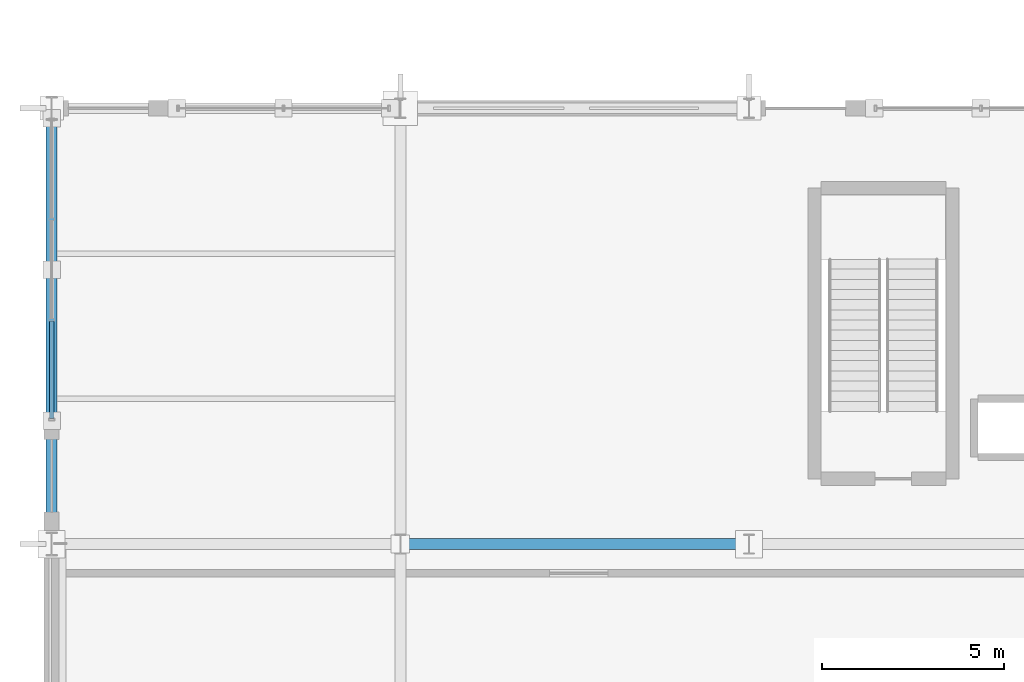
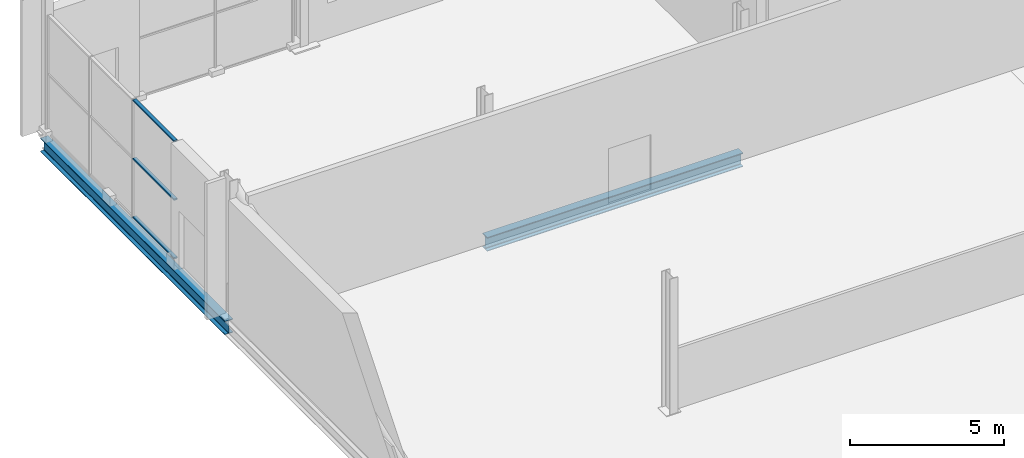
# One storey, part 103 of 196: 3 members, 2 beams, 1 element without a shape of its own.
"""IFC4 building model written with IfcOpenShell, lengths in metres."""

import ifcopenshell
import ifcopenshell.guid

model = None  # the IFC model being written
_history = None  # IfcOwnerHistory: only IFC2X3 demands one
_inside = {}  # id of a spatial element -> (the spatial element, [elements in it])
_under = {}  # id of a project, library or spatial element -> (it, [spatial elements below it])
_declared = {}  # id of a project -> (the project, [libraries it declares])
_typed = {}  # id of a type object -> (the type object, [elements of that type])
_made_of = {}  # id of a material, layer set ... -> (it, [elements and type objects made of it])


def new_model(schema):
    """Start an empty IFC model of exactly this schema.

    Asked for "IFC4X3", IfcOpenShell would pick the latest addendum, in which some entities
    have other attributes; the version numbers below select the first issue.
    IFC2X3 requires an IfcOwnerHistory on every rooted entity: one is made here for all.
    """
    global model, _history
    if schema == "IFC4X3":
        model = ifcopenshell.file(schema_version=(4, 3, 0, 0))
    else:
        model = ifcopenshell.file(schema=schema)
    _inside.clear()
    _under.clear()
    _declared.clear()
    _typed.clear()
    _made_of.clear()
    _history = None
    if model.schema == "IFC2X3":
        org = make("IfcOrganization", Name="unknown")
        user = make(
            "IfcPersonAndOrganization",
            ThePerson=make("IfcPerson", FamilyName="unknown"),
            TheOrganization=org,
        )
        app = make(
            "IfcApplication",
            ApplicationDeveloper=org,
            Version="unknown",
            ApplicationFullName="unknown",
            ApplicationIdentifier="unknown",
        )
        _history = make(
            "IfcOwnerHistory",
            OwningUser=user,
            OwningApplication=app,
            ChangeAction="ADDED",
            CreationDate=0,
        )
    return model


def make(cls, **values):
    """One entity of the class cls with the attributes given. An attribute that is None is left unset."""
    return model.create_entity(
        cls, **{name: value for name, value in values.items() if value is not None}
    )


def rooted(cls, **values):
    """An entity with a GlobalId (a new one), such as an element, a storey or a relation."""
    return make(cls, GlobalId=ifcopenshell.guid.new(), OwnerHistory=_history, **values)


def si_unit(unit_type, name, prefix=None):
    """IfcSIUnit, for example si_unit("LENGTHUNIT", "METRE", prefix="MILLI")."""
    return make("IfcSIUnit", UnitType=unit_type, Prefix=prefix, Name=name)


def assignment(units):
    """IfcUnitAssignment: the units of a project."""
    return None if units is None else make("IfcUnitAssignment", Units=units)


def point(xyz):
    """IfcCartesianPoint."""
    return None if xyz is None else make("IfcCartesianPoint", Coordinates=xyz)


def direction(xyz):
    """IfcDirection."""
    return None if xyz is None else make("IfcDirection", DirectionRatios=xyz)


def frame(location, z_axis=None, x_axis=None):
    """IfcAxis2Placement3D, a coordinate frame: its origin and axes. An axis left out is left unset."""
    return make(
        "IfcAxis2Placement3D",
        Location=point(location),
        Axis=direction(z_axis),
        RefDirection=direction(x_axis),
    )


def frame_2d(location, x_axis=None):
    """IfcAxis2Placement2D, a coordinate frame in the plane: its origin and x axis."""
    return make(
        "IfcAxis2Placement2D", Location=point(location), RefDirection=direction(x_axis)
    )


def origin():
    """The frame at (0, 0, 0) with its axes left unset."""
    return frame((0.0, 0.0, 0.0))


def origin_2d():
    """The frame at (0, 0) in the plane with its x axis left unset."""
    return frame_2d((0.0, 0.0))


def place(relative_to, where):
    """IfcLocalPlacement: puts the frame where relative to a parent placement (None: the world)."""
    return make(
        "IfcLocalPlacement", PlacementRelTo=relative_to, RelativePlacement=where
    )


def context(
    kind, dimensions, precision=None, world=None, true_north=None, identifier=None
):
    """IfcGeometricRepresentationContext, for example the 3D "Model" context."""
    return make(
        "IfcGeometricRepresentationContext",
        ContextIdentifier=identifier,
        ContextType=kind,
        CoordinateSpaceDimension=dimensions,
        Precision=precision,
        WorldCoordinateSystem=world,
        TrueNorth=true_north,
    )


def subcontext(parent, identifier, kind, view, scale=None):
    """IfcGeometricRepresentationSubContext, for example "Body" below "Model"."""
    return make(
        "IfcGeometricRepresentationSubContext",
        ContextIdentifier=identifier,
        ContextType=kind,
        ParentContext=parent,
        TargetScale=scale,
        TargetView=view,
    )


def project(units=None, contexts=None):
    """IfcProject with its units and contexts."""
    return rooted(
        "IfcProject",
        Name="project",
        RepresentationContexts=contexts,
        UnitsInContext=assignment(units),
    )


def spatial(cls, under=None, at=None, **own):
    """A site, building, storey or space (cls), placed at a placement, below another one or the project."""
    s = rooted(cls, ObjectPlacement=at, **own)
    if under is not None:
        _under.setdefault(under.id(), (under, []))[1].append(s)
    return s


def profile(cls, at=None, kind="AREA", **sizes):
    """A parametric profile (cls). Its sizes go by their IFC names, for example OverallWidth=200.0."""
    return make(cls, ProfileType=kind, Position=at, **sizes)


def hollow_rectangle(**sizes):
    """IfcRectangleHollowProfileDef."""
    return profile("IfcRectangleHollowProfileDef", **sizes)


def i_section(**sizes):
    """IfcIShapeProfileDef."""
    return profile("IfcIShapeProfileDef", **sizes)


def extrude(swept, where, along, depth):
    """IfcExtrudedAreaSolid: the profile swept, set in the frame where, extruded along a direction by depth."""
    return make(
        "IfcExtrudedAreaSolid",
        SweptArea=swept,
        Position=where,
        ExtrudedDirection=direction(along),
        Depth=depth,
    )


def shape(context_of_items, identifier, shape_type, items):
    """IfcShapeRepresentation: the items that make up one representation, for example the "Body"."""
    return make(
        "IfcShapeRepresentation",
        ContextOfItems=context_of_items,
        RepresentationIdentifier=identifier,
        RepresentationType=shape_type,
        Items=items,
    )


def material(Name=None, Category=None):
    """IfcMaterial."""
    return make("IfcMaterial", Name=Name, Category=Category)


def material_profile(
    of_material, cross_section, Name=None, Category=None, Priority=None
):
    """IfcMaterialProfile: a cross section and its material."""
    return make(
        "IfcMaterialProfile",
        Name=Name,
        Material=of_material,
        Profile=cross_section,
        Priority=Priority,
        Category=Category,
    )


def profile_set(profiles, Name=None, composite=None):
    """IfcMaterialProfileSet."""
    return make(
        "IfcMaterialProfileSet",
        Name=Name,
        MaterialProfiles=profiles,
        CompositeProfile=composite,
    )


def made_of(thing, what):
    """Note that an element or type object is made of a material, layer set ...; save() writes the relation."""
    if what is not None:
        _made_of.setdefault(what.id(), (what, []))[1].append(thing)
    return thing


def type_object(cls, material=None, **own):
    """A type object (cls), such as IfcWallType, which elements share."""
    return made_of(rooted(cls, **own), material)


def element(
    cls,
    number,
    at=None,
    inside=None,
    cuts=None,
    type_object=None,
    material=None,
    context=None,
    identifier="Body",
    shape_type=None,
    held_by="IfcProductDefinitionShape",
    body=None,
    shapes=None,
    **own,
):
    """One element of the class cls, such as IfcWall. Its Tag is "e" and its number.

    at: its placement. inside: the storey or other place that contains it. cuts: it is an
    opening in that element (IfcRelVoidsElement). A single representation is given by context,
    identifier, shape_type and body (its items); several are given by shapes. held_by: the class
    of the entity that holds the representations. save() writes the other relations.
    """
    e = rooted(cls, Tag="e%d" % number, ObjectPlacement=at, **own)
    if body is not None:
        shapes = [shape(context, identifier, shape_type, body)]
    if shapes is not None:
        e.Representation = make(held_by, Representations=shapes)
    if inside is not None:
        _inside.setdefault(inside.id(), (inside, []))[1].append(e)
    if cuts is not None:
        rooted(
            "IfcRelVoidsElement", RelatingBuildingElement=cuts, RelatedOpeningElement=e
        )
    if type_object is not None:
        _typed.setdefault(type_object.id(), (type_object, []))[1].append(e)
    return made_of(e, material)


def aggregate(whole, parts):
    """IfcRelAggregates: a whole, such as a stair, and the parts it consists of."""
    return rooted("IfcRelAggregates", RelatingObject=whole, RelatedObjects=parts)


def save(model, path):
    """Write the relations noted so far, then the file.

    IfcRelAggregates (storeys below a building ...), IfcRelContainedInSpatialStructure (elements
    in a storey), IfcRelDefinesByType, IfcRelAssociatesMaterial and IfcRelDeclares: one each for
    every whole, place, type object, material and project.
    """
    for whole, parts in _under.values():
        aggregate(whole, parts)
    for where, things in _inside.values():
        rooted(
            "IfcRelContainedInSpatialStructure",
            RelatedElements=things,
            RelatingStructure=where,
        )
    for kind, things in _typed.values():
        rooted("IfcRelDefinesByType", RelatedObjects=things, RelatingType=kind)
    for what, things in _made_of.values():
        rooted("IfcRelAssociatesMaterial", RelatedObjects=things, RelatingMaterial=what)
    for by, libraries in _declared.values():
        rooted("IfcRelDeclares", RelatingContext=by, RelatedDefinitions=libraries)
    model.write(path)


model = new_model("IFC4")

# Units and contexts
model_context = context("Model", 3, precision=1e-05, world=origin(), true_north=direction((0.0, 1.0)))
body_context = subcontext(model_context, "Body", "Model", "MODEL_VIEW")
ifc_project = project(units=[si_unit("LENGTHUNIT", "METRE"), si_unit("AREAUNIT", "SQUARE_METRE"), si_unit("VOLUMEUNIT", "CUBIC_METRE"), si_unit("PLANEANGLEUNIT", "RADIAN"), si_unit("MASSUNIT", "GRAM", prefix="KILO")], contexts=[model_context])

# Site, building, storey
site_placement = place(None, origin())
site = spatial("IfcSite", under=ifc_project, at=site_placement, CompositionType="ELEMENT")
building_placement = place(site_placement, origin())
building = spatial("IfcBuilding", under=site, at=building_placement, Name="Merenkruunu Market Hall", CompositionType="ELEMENT")
storey_placement = place(building_placement, origin())
storey = spatial("IfcBuildingStorey", under=building, at=storey_placement, Name="L00", CompositionType="ELEMENT", Elevation=0.0)

# Curtain wall, members
ifc_material_1 = material(Name="Powder-coated aluminium", Category="aluminium")
curtain_wall_type = type_object("IfcCurtainWallType", Name="Glazed Curtain Wall CW06", PredefinedType="USERDEFINED", material=ifc_material_1)
curtain_wall_placement = place(storey_placement, origin())
curtain_wall = element("IfcCurtainWall", 1, at=curtain_wall_placement, inside=storey, type_object=curtain_wall_type, Name="CW-L00-CWM01-016", ObjectType="GLAZED_FACADE", PredefinedType="USERDEFINED")
ifc_material_profile_1 = material_profile(ifc_material_1, hollow_rectangle(XDim=0.06005859375, YDim=0.125, WallThickness=0.00390625, at=origin_2d()), Name="ALU 60x125x4")
ifc_profile_set_1 = profile_set([ifc_material_profile_1], Name="Powder-coated aluminium")
member_type = type_object("IfcMemberType", Name="Curtain Wall Transom CWT01", PredefinedType="USERDEFINED", material=ifc_profile_set_1)
member_1_placement = place(storey_placement, frame((0.0, 103.06005859375, 0.030029296875), z_axis=(0.0, 1.0, 0.0), x_axis=(0.0, 0.0, 1.0)))
member_1 = element("IfcMember", 2, at=member_1_placement, type_object=member_type, Name="CW06 transom 1.1", ObjectType="TRANSOM", PredefinedType="USERDEFINED", context=body_context, shape_type="SweptSolid", body=[
    extrude(hollow_rectangle(XDim=0.06005859375, YDim=0.125, WallThickness=0.00390625, at=origin_2d()), origin(), (0.0, 0.0, 1.0), 2.683349609375),
])
member_2_placement = place(storey_placement, frame((0.0, 103.06005859375, 2.35009765625), z_axis=(0.0, 1.0, 0.0), x_axis=(0.0, 0.0, 1.0)))
member_2 = element("IfcMember", 3, at=member_2_placement, type_object=member_type, Name="CW06 transom 1.2", ObjectType="TRANSOM", PredefinedType="USERDEFINED", context=body_context, shape_type="SweptSolid", body=[
    extrude(hollow_rectangle(XDim=0.06005859375, YDim=0.125, WallThickness=0.00390625, at=origin_2d()), origin(), (0.0, 0.0, 1.0), 2.683349609375),
])
member_3_placement = place(storey_placement, frame((0.0, 103.06005859375, 4.669921875), z_axis=(0.0, 1.0, 0.0), x_axis=(0.0, 0.0, 1.0)))
member_3 = element("IfcMember", 4, at=member_3_placement, type_object=member_type, Name="CW06 transom 1.3", ObjectType="TRANSOM", PredefinedType="USERDEFINED", context=body_context, shape_type="SweptSolid", body=[
    extrude(hollow_rectangle(XDim=0.06005859375, YDim=0.125, WallThickness=0.00390625, at=origin_2d()), origin(), (0.0, 0.0, 1.0), 2.683349609375),
])
aggregate(curtain_wall, [member_1, member_2, member_3])

# Beams
ifc_material_2 = material(Name="Steel S355J2", Category="steel")
ifc_material_profile_2 = material_profile(ifc_material_2, i_section(OverallWidth=0.300048828125, OverallDepth=0.550048828125, WebThickness=0.014892578125, FlangeThickness=0.029052734375, FilletRadius=0.027099609375, at=origin_2d()), Name="HEB 550")
ifc_profile_set_2 = profile_set([ifc_material_profile_2], Name="Steel S355J2")
beam_type_1 = type_object("IfcBeamType", Name="Primary Floor Girder B02", PredefinedType="BEAM", material=ifc_profile_set_2)
beam_1_placement = place(storey_placement, frame((9.60009765625, 99.60009765625, -0.614990234375), z_axis=(1.0, 0.0, 0.0), x_axis=(0.0, 1.0, 0.0)))
element("IfcBeam", 5, at=beam_1_placement, inside=storey, type_object=beam_type_1, Name="BM-L00-B02-0115", PredefinedType="BEAM", context=body_context, shape_type="SweptSolid", body=[
    extrude(i_section(OverallWidth=0.300048828125, OverallDepth=0.550048828125, WebThickness=0.014892578125, FlangeThickness=0.029052734375, FilletRadius=0.027099609375, at=origin_2d()), origin(), (0.0, 0.0, 1.0), 9.599853515625),
])
ifc_material_profile_3 = material_profile(ifc_material_2, i_section(OverallWidth=0.300048828125, OverallDepth=0.5400390625, WebThickness=0.012451171875, FlangeThickness=0.02392578125, FilletRadius=0.027099609375, at=origin_2d()), Name="HEA 550")
ifc_profile_set_3 = profile_set([ifc_material_profile_3], Name="Steel S355J2")
beam_type_2 = type_object("IfcBeamType", Name="Primary Floor Girder B06", PredefinedType="BEAM", material=ifc_profile_set_3)
beam_2_placement = place(storey_placement, frame((0.0, 99.60009765625, -0.610107421875), z_axis=(0.0, 1.0, 0.0), x_axis=(-1.0, 0.0, 0.0)))
element("IfcBeam", 6, at=beam_2_placement, inside=storey, type_object=beam_type_2, Name="BM-L00-B06-0144", PredefinedType="BEAM", context=body_context, shape_type="SweptSolid", body=[
    extrude(i_section(OverallWidth=0.300048828125, OverallDepth=0.5400390625, WebThickness=0.012451171875, FlangeThickness=0.02392578125, FilletRadius=0.027099609375, at=origin_2d()), origin(), (0.0, 0.0, 1.0), 12.0),
])

save(model, "model.ifc")
